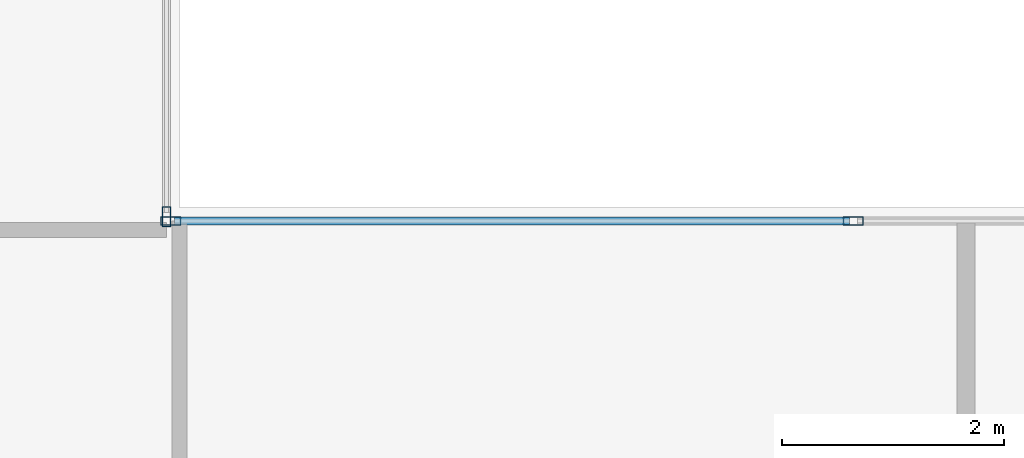
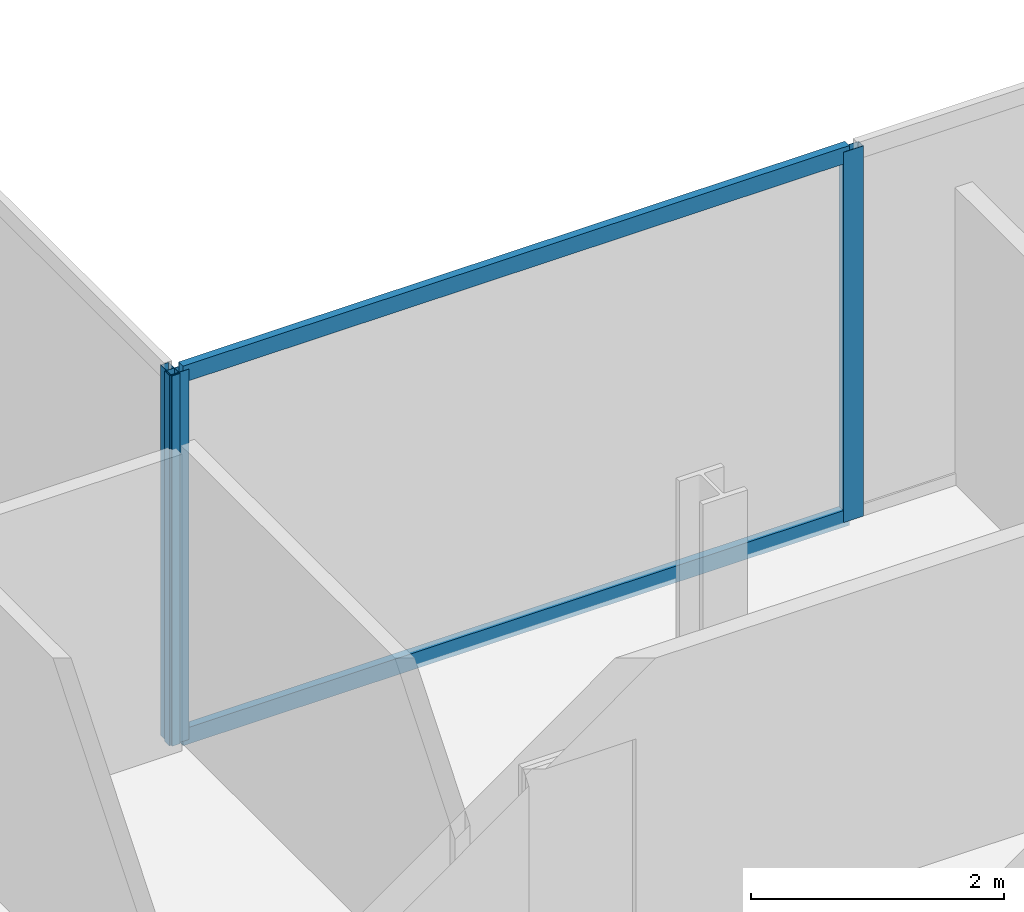
# One storey, part 7 of 23: 5 members, 2 elements without a shape of their own.
"""IFC4 building model written with IfcOpenShell, lengths in metres."""

import ifcopenshell
import ifcopenshell.guid

model = None  # the IFC model being written
_history = None  # IfcOwnerHistory: only IFC2X3 demands one
_inside = {}  # id of a spatial element -> (the spatial element, [elements in it])
_under = {}  # id of a project, library or spatial element -> (it, [spatial elements below it])
_declared = {}  # id of a project -> (the project, [libraries it declares])
_typed = {}  # id of a type object -> (the type object, [elements of that type])
_made_of = {}  # id of a material, layer set ... -> (it, [elements and type objects made of it])


def new_model(schema):
    """Start an empty IFC model of exactly this schema.

    Asked for "IFC4X3", IfcOpenShell would pick the latest addendum, in which some entities
    have other attributes; the version numbers below select the first issue.
    IFC2X3 requires an IfcOwnerHistory on every rooted entity: one is made here for all.
    """
    global model, _history
    if schema == "IFC4X3":
        model = ifcopenshell.file(schema_version=(4, 3, 0, 0))
    else:
        model = ifcopenshell.file(schema=schema)
    _inside.clear()
    _under.clear()
    _declared.clear()
    _typed.clear()
    _made_of.clear()
    _history = None
    if model.schema == "IFC2X3":
        org = make("IfcOrganization", Name="unknown")
        user = make(
            "IfcPersonAndOrganization",
            ThePerson=make("IfcPerson", FamilyName="unknown"),
            TheOrganization=org,
        )
        app = make(
            "IfcApplication",
            ApplicationDeveloper=org,
            Version="unknown",
            ApplicationFullName="unknown",
            ApplicationIdentifier="unknown",
        )
        _history = make(
            "IfcOwnerHistory",
            OwningUser=user,
            OwningApplication=app,
            ChangeAction="ADDED",
            CreationDate=0,
        )
    return model


def make(cls, **values):
    """One entity of the class cls with the attributes given. An attribute that is None is left unset."""
    return model.create_entity(
        cls, **{name: value for name, value in values.items() if value is not None}
    )


def rooted(cls, **values):
    """An entity with a GlobalId (a new one), such as an element, a storey or a relation."""
    return make(cls, GlobalId=ifcopenshell.guid.new(), OwnerHistory=_history, **values)


def si_unit(unit_type, name, prefix=None):
    """IfcSIUnit, for example si_unit("LENGTHUNIT", "METRE", prefix="MILLI")."""
    return make("IfcSIUnit", UnitType=unit_type, Prefix=prefix, Name=name)


def assignment(units):
    """IfcUnitAssignment: the units of a project."""
    return None if units is None else make("IfcUnitAssignment", Units=units)


def point(xyz):
    """IfcCartesianPoint."""
    return None if xyz is None else make("IfcCartesianPoint", Coordinates=xyz)


def direction(xyz):
    """IfcDirection."""
    return None if xyz is None else make("IfcDirection", DirectionRatios=xyz)


def frame(location, z_axis=None, x_axis=None):
    """IfcAxis2Placement3D, a coordinate frame: its origin and axes. An axis left out is left unset."""
    return make(
        "IfcAxis2Placement3D",
        Location=point(location),
        Axis=direction(z_axis),
        RefDirection=direction(x_axis),
    )


def frame_2d(location, x_axis=None):
    """IfcAxis2Placement2D, a coordinate frame in the plane: its origin and x axis."""
    return make(
        "IfcAxis2Placement2D", Location=point(location), RefDirection=direction(x_axis)
    )


def origin():
    """The frame at (0, 0, 0) with its axes left unset."""
    return frame((0.0, 0.0, 0.0))


def origin_2d():
    """The frame at (0, 0) in the plane with its x axis left unset."""
    return frame_2d((0.0, 0.0))


def place(relative_to, where):
    """IfcLocalPlacement: puts the frame where relative to a parent placement (None: the world)."""
    return make(
        "IfcLocalPlacement", PlacementRelTo=relative_to, RelativePlacement=where
    )


def context(
    kind, dimensions, precision=None, world=None, true_north=None, identifier=None
):
    """IfcGeometricRepresentationContext, for example the 3D "Model" context."""
    return make(
        "IfcGeometricRepresentationContext",
        ContextIdentifier=identifier,
        ContextType=kind,
        CoordinateSpaceDimension=dimensions,
        Precision=precision,
        WorldCoordinateSystem=world,
        TrueNorth=true_north,
    )


def subcontext(parent, identifier, kind, view, scale=None):
    """IfcGeometricRepresentationSubContext, for example "Body" below "Model"."""
    return make(
        "IfcGeometricRepresentationSubContext",
        ContextIdentifier=identifier,
        ContextType=kind,
        ParentContext=parent,
        TargetScale=scale,
        TargetView=view,
    )


def project(units=None, contexts=None):
    """IfcProject with its units and contexts."""
    return rooted(
        "IfcProject",
        Name="project",
        RepresentationContexts=contexts,
        UnitsInContext=assignment(units),
    )


def spatial(cls, under=None, at=None, **own):
    """A site, building, storey or space (cls), placed at a placement, below another one or the project."""
    s = rooted(cls, ObjectPlacement=at, **own)
    if under is not None:
        _under.setdefault(under.id(), (under, []))[1].append(s)
    return s


def profile(cls, at=None, kind="AREA", **sizes):
    """A parametric profile (cls). Its sizes go by their IFC names, for example OverallWidth=200.0."""
    return make(cls, ProfileType=kind, Position=at, **sizes)


def hollow_rectangle(**sizes):
    """IfcRectangleHollowProfileDef."""
    return profile("IfcRectangleHollowProfileDef", **sizes)


def extrude(swept, where, along, depth):
    """IfcExtrudedAreaSolid: the profile swept, set in the frame where, extruded along a direction by depth."""
    return make(
        "IfcExtrudedAreaSolid",
        SweptArea=swept,
        Position=where,
        ExtrudedDirection=direction(along),
        Depth=depth,
    )


def shape(context_of_items, identifier, shape_type, items):
    """IfcShapeRepresentation: the items that make up one representation, for example the "Body"."""
    return make(
        "IfcShapeRepresentation",
        ContextOfItems=context_of_items,
        RepresentationIdentifier=identifier,
        RepresentationType=shape_type,
        Items=items,
    )


def material(Name=None, Category=None):
    """IfcMaterial."""
    return make("IfcMaterial", Name=Name, Category=Category)


def material_profile(
    of_material, cross_section, Name=None, Category=None, Priority=None
):
    """IfcMaterialProfile: a cross section and its material."""
    return make(
        "IfcMaterialProfile",
        Name=Name,
        Material=of_material,
        Profile=cross_section,
        Priority=Priority,
        Category=Category,
    )


def profile_set(profiles, Name=None, composite=None):
    """IfcMaterialProfileSet."""
    return make(
        "IfcMaterialProfileSet",
        Name=Name,
        MaterialProfiles=profiles,
        CompositeProfile=composite,
    )


def made_of(thing, what):
    """Note that an element or type object is made of a material, layer set ...; save() writes the relation."""
    if what is not None:
        _made_of.setdefault(what.id(), (what, []))[1].append(thing)
    return thing


def type_object(cls, material=None, **own):
    """A type object (cls), such as IfcWallType, which elements share."""
    return made_of(rooted(cls, **own), material)


def element(
    cls,
    number,
    at=None,
    inside=None,
    cuts=None,
    type_object=None,
    material=None,
    context=None,
    identifier="Body",
    shape_type=None,
    held_by="IfcProductDefinitionShape",
    body=None,
    shapes=None,
    **own,
):
    """One element of the class cls, such as IfcWall. Its Tag is "e" and its number.

    at: its placement. inside: the storey or other place that contains it. cuts: it is an
    opening in that element (IfcRelVoidsElement). A single representation is given by context,
    identifier, shape_type and body (its items); several are given by shapes. held_by: the class
    of the entity that holds the representations. save() writes the other relations.
    """
    e = rooted(cls, Tag="e%d" % number, ObjectPlacement=at, **own)
    if body is not None:
        shapes = [shape(context, identifier, shape_type, body)]
    if shapes is not None:
        e.Representation = make(held_by, Representations=shapes)
    if inside is not None:
        _inside.setdefault(inside.id(), (inside, []))[1].append(e)
    if cuts is not None:
        rooted(
            "IfcRelVoidsElement", RelatingBuildingElement=cuts, RelatedOpeningElement=e
        )
    if type_object is not None:
        _typed.setdefault(type_object.id(), (type_object, []))[1].append(e)
    return made_of(e, material)


def aggregate(whole, parts):
    """IfcRelAggregates: a whole, such as a stair, and the parts it consists of."""
    return rooted("IfcRelAggregates", RelatingObject=whole, RelatedObjects=parts)


def save(model, path):
    """Write the relations noted so far, then the file.

    IfcRelAggregates (storeys below a building ...), IfcRelContainedInSpatialStructure (elements
    in a storey), IfcRelDefinesByType, IfcRelAssociatesMaterial and IfcRelDeclares: one each for
    every whole, place, type object, material and project.
    """
    for whole, parts in _under.values():
        aggregate(whole, parts)
    for where, things in _inside.values():
        rooted(
            "IfcRelContainedInSpatialStructure",
            RelatedElements=things,
            RelatingStructure=where,
        )
    for kind, things in _typed.values():
        rooted("IfcRelDefinesByType", RelatedObjects=things, RelatingType=kind)
    for what, things in _made_of.values():
        rooted("IfcRelAssociatesMaterial", RelatedObjects=things, RelatingMaterial=what)
    for by, libraries in _declared.values():
        rooted("IfcRelDeclares", RelatingContext=by, RelatedDefinitions=libraries)
    model.write(path)


model = new_model("IFC4")

# Units and contexts
model_context = context("Model", 3, precision=1e-05, world=origin(), true_north=direction((0.0, 1.0)))
body_context = subcontext(model_context, "Body", "Model", "MODEL_VIEW")
ifc_project = project(units=[si_unit("LENGTHUNIT", "METRE"), si_unit("AREAUNIT", "SQUARE_METRE"), si_unit("VOLUMEUNIT", "CUBIC_METRE"), si_unit("PLANEANGLEUNIT", "RADIAN"), si_unit("MASSUNIT", "GRAM", prefix="KILO")], contexts=[model_context])

# Site, building, storey
site_placement = place(None, origin())
site = spatial("IfcSite", under=ifc_project, at=site_placement, CompositionType="ELEMENT")
building_placement = place(site_placement, origin())
building = spatial("IfcBuilding", under=site, at=building_placement, Name="Cobrela Telecom Tower", CompositionType="ELEMENT")
storey_placement = place(building_placement, frame((0.0, 0.0, 144.550048828125)))
storey = spatial("IfcBuildingStorey", under=building, at=storey_placement, Name="L36", CompositionType="ELEMENT", Elevation=144.550048828125)

# Curtain wall, member
ifc_material = material(Name="Anodized Bronze Aluminium 6063-T6", Category="aluminium")
curtain_wall_type = type_object("IfcCurtainWallType", Name="CW-SYS-TEL", PredefinedType="USERDEFINED", material=ifc_material)
curtain_wall_1_placement = place(storey_placement, origin())
curtain_wall_1 = element("IfcCurtainWall", 1, at=curtain_wall_1_placement, inside=storey, type_object=curtain_wall_type, Name="L36 Unitised Bronze Curtain Wall 10", ObjectType="UNITISED CURTAIN WALL", PredefinedType="USERDEFINED")
ifc_material_profile_1 = material_profile(ifc_material, hollow_rectangle(XDim=0.074951171875, YDim=0.179931640625, WallThickness=0.00390625, at=origin_2d()), Name="ALU 75x180x4")
ifc_profile_set_1 = profile_set([ifc_material_profile_1], Name="Anodized Bronze Aluminium 6063-T6")
member_type_1 = type_object("IfcMemberType", Name="CW-SYS-TEL-MUL", PredefinedType="MULLION", material=ifc_profile_set_1)
member_1_placement = place(storey_placement, frame((25.8798828125, 25.117431640625, 0.0), z_axis=(0.0, 0.0, 1.0), x_axis=(1.0, 0.0, 0.0)))
member_1 = element("IfcMember", 2, at=member_1_placement, type_object=member_type_1, Name="CW-TEL mullion 3", PredefinedType="MULLION", context=body_context, shape_type="SweptSolid", body=[
    extrude(hollow_rectangle(XDim=0.074951171875, YDim=0.179931640625, WallThickness=0.00390625, at=origin_2d()), origin(), (0.0, 0.0, 1.0), 3.579833984375),
])
aggregate(curtain_wall_1, [member_1])

# Curtain wall, members
curtain_wall_2_placement = place(storey_placement, origin())
curtain_wall_2 = element("IfcCurtainWall", 3, at=curtain_wall_2_placement, inside=storey, type_object=curtain_wall_type, Name="L36 Unitised Bronze Curtain Wall 11", ObjectType="UNITISED CURTAIN WALL", PredefinedType="USERDEFINED")
member_2_placement = place(storey_placement, frame((25.91748046875, 25.080078125, 0.0), z_axis=(0.0, 0.0, 1.0), x_axis=(0.0, 1.0, 0.0)))
member_2 = element("IfcMember", 4, at=member_2_placement, type_object=member_type_1, Name="CW-TEL mullion 1", PredefinedType="MULLION", context=body_context, shape_type="SweptSolid", body=[
    extrude(hollow_rectangle(XDim=0.074951171875, YDim=0.179931640625, WallThickness=0.00390625, at=origin_2d()), origin(), (0.0, 0.0, 1.0), 3.579833984375),
])
member_3_placement = place(storey_placement, frame((32.083251953125, 25.080078125, 0.0), z_axis=(0.0, 0.0, 1.0), x_axis=(0.0, 1.0, 0.0)))
member_3 = element("IfcMember", 5, at=member_3_placement, type_object=member_type_1, Name="CW-TEL mullion 2", PredefinedType="MULLION", context=body_context, shape_type="SweptSolid", body=[
    extrude(hollow_rectangle(XDim=0.074951171875, YDim=0.179931640625, WallThickness=0.00390625, at=origin_2d()), origin(), (0.0, 0.0, 1.0), 3.579833984375),
])
ifc_material_profile_2 = material_profile(ifc_material, hollow_rectangle(XDim=0.070068359375, YDim=0.159912109375, WallThickness=0.00390625, at=origin_2d()), Name="ALU 70x160x4")
ifc_profile_set_2 = profile_set([ifc_material_profile_2], Name="Anodized Bronze Aluminium 6063-T6")
member_type_2 = type_object("IfcMemberType", Name="CW-SYS-TEL-TRN", PredefinedType="USERDEFINED", material=ifc_profile_set_2)
member_4_placement = place(storey_placement, frame((25.955078125, 25.080078125, 0.034912109375), z_axis=(1.0, 0.0, 0.0), x_axis=(0.0, 1.0, 0.0)))
member_4 = element("IfcMember", 6, at=member_4_placement, type_object=member_type_2, Name="CW-TEL transom 1.1", ObjectType="TRANSOM", PredefinedType="USERDEFINED", context=body_context, shape_type="SweptSolid", body=[
    extrude(hollow_rectangle(XDim=0.070068359375, YDim=0.159912109375, WallThickness=0.00390625, at=origin_2d()), origin(), (0.0, 0.0, 1.0), 6.0908203125),
])
member_5_placement = place(storey_placement, frame((25.955078125, 25.080078125, 3.544921875), z_axis=(1.0, 0.0, 0.0), x_axis=(0.0, 1.0, 0.0)))
member_5 = element("IfcMember", 7, at=member_5_placement, type_object=member_type_2, Name="CW-TEL transom 1.2", ObjectType="TRANSOM", PredefinedType="USERDEFINED", context=body_context, shape_type="SweptSolid", body=[
    extrude(hollow_rectangle(XDim=0.070068359375, YDim=0.159912109375, WallThickness=0.00390625, at=origin_2d()), origin(), (0.0, 0.0, 1.0), 6.0908203125),
])
aggregate(curtain_wall_2, [member_2, member_3, member_4, member_5])

save(model, "model.ifc")
